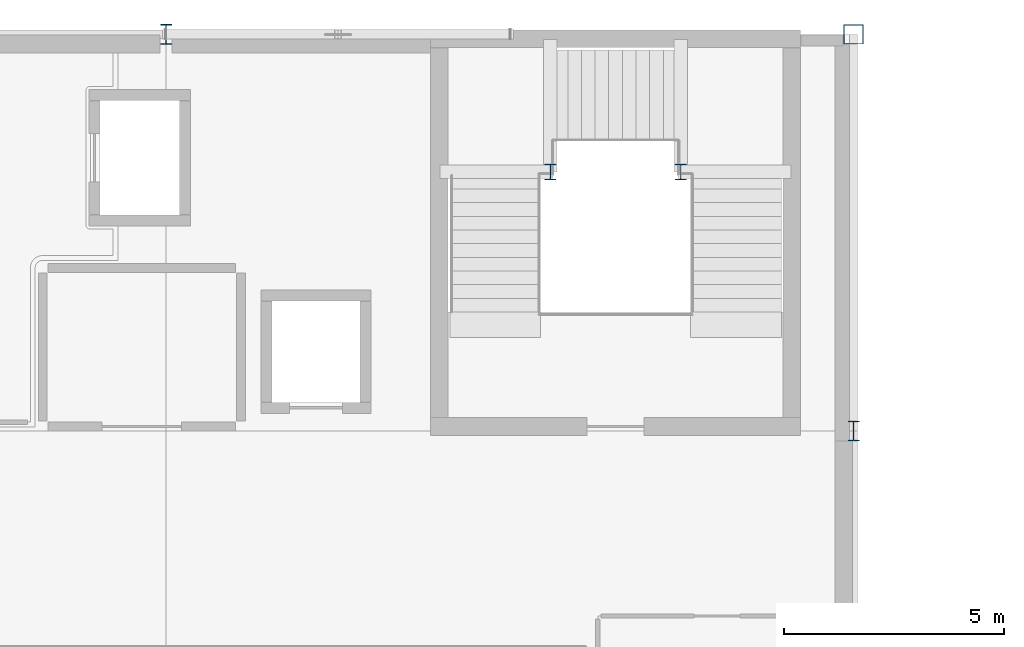
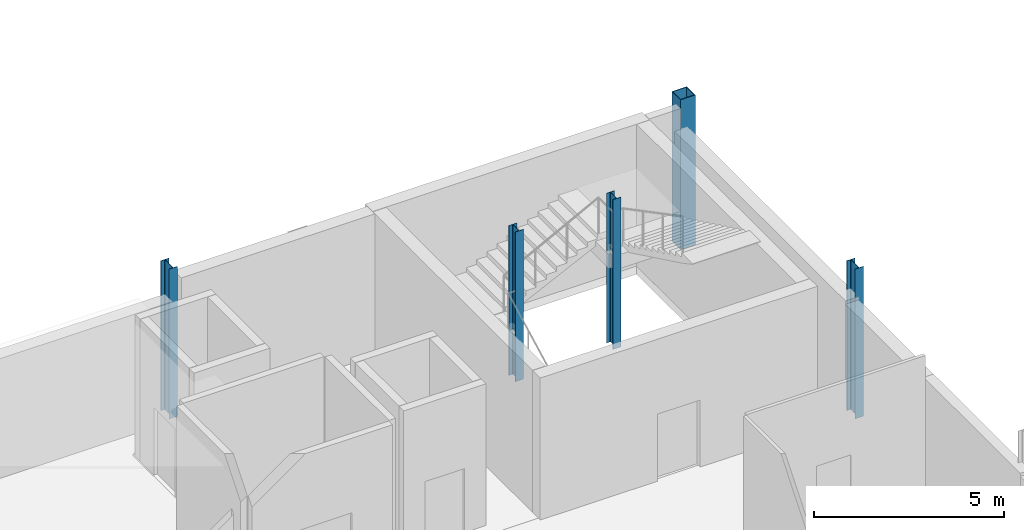
# One storey, part 10 of 102: 5 columns.
"""IFC4 building model written with IfcOpenShell, lengths in metres."""

import ifcopenshell
import ifcopenshell.guid

model = None  # the IFC model being written
_history = None  # IfcOwnerHistory: only IFC2X3 demands one
_inside = {}  # id of a spatial element -> (the spatial element, [elements in it])
_under = {}  # id of a project, library or spatial element -> (it, [spatial elements below it])
_declared = {}  # id of a project -> (the project, [libraries it declares])
_typed = {}  # id of a type object -> (the type object, [elements of that type])
_made_of = {}  # id of a material, layer set ... -> (it, [elements and type objects made of it])


def new_model(schema):
    """Start an empty IFC model of exactly this schema.

    Asked for "IFC4X3", IfcOpenShell would pick the latest addendum, in which some entities
    have other attributes; the version numbers below select the first issue.
    IFC2X3 requires an IfcOwnerHistory on every rooted entity: one is made here for all.
    """
    global model, _history
    if schema == "IFC4X3":
        model = ifcopenshell.file(schema_version=(4, 3, 0, 0))
    else:
        model = ifcopenshell.file(schema=schema)
    _inside.clear()
    _under.clear()
    _declared.clear()
    _typed.clear()
    _made_of.clear()
    _history = None
    if model.schema == "IFC2X3":
        org = make("IfcOrganization", Name="unknown")
        user = make(
            "IfcPersonAndOrganization",
            ThePerson=make("IfcPerson", FamilyName="unknown"),
            TheOrganization=org,
        )
        app = make(
            "IfcApplication",
            ApplicationDeveloper=org,
            Version="unknown",
            ApplicationFullName="unknown",
            ApplicationIdentifier="unknown",
        )
        _history = make(
            "IfcOwnerHistory",
            OwningUser=user,
            OwningApplication=app,
            ChangeAction="ADDED",
            CreationDate=0,
        )
    return model


def make(cls, **values):
    """One entity of the class cls with the attributes given. An attribute that is None is left unset."""
    return model.create_entity(
        cls, **{name: value for name, value in values.items() if value is not None}
    )


def rooted(cls, **values):
    """An entity with a GlobalId (a new one), such as an element, a storey or a relation."""
    return make(cls, GlobalId=ifcopenshell.guid.new(), OwnerHistory=_history, **values)


def si_unit(unit_type, name, prefix=None):
    """IfcSIUnit, for example si_unit("LENGTHUNIT", "METRE", prefix="MILLI")."""
    return make("IfcSIUnit", UnitType=unit_type, Prefix=prefix, Name=name)


def derived_unit(unit_type, elements):
    """IfcDerivedUnit: a product of units, each with its exponent."""
    return make(
        "IfcDerivedUnit",
        Elements=[
            make("IfcDerivedUnitElement", Unit=unit, Exponent=power)
            for unit, power in elements
        ],
        UnitType=unit_type,
    )


def assignment(units):
    """IfcUnitAssignment: the units of a project."""
    return None if units is None else make("IfcUnitAssignment", Units=units)


def point(xyz):
    """IfcCartesianPoint."""
    return None if xyz is None else make("IfcCartesianPoint", Coordinates=xyz)


def direction(xyz):
    """IfcDirection."""
    return None if xyz is None else make("IfcDirection", DirectionRatios=xyz)


def frame(location, z_axis=None, x_axis=None):
    """IfcAxis2Placement3D, a coordinate frame: its origin and axes. An axis left out is left unset."""
    return make(
        "IfcAxis2Placement3D",
        Location=point(location),
        Axis=direction(z_axis),
        RefDirection=direction(x_axis),
    )


def frame_2d(location, x_axis=None):
    """IfcAxis2Placement2D, a coordinate frame in the plane: its origin and x axis."""
    return make(
        "IfcAxis2Placement2D", Location=point(location), RefDirection=direction(x_axis)
    )


def origin():
    """The frame at (0, 0, 0) with its axes left unset."""
    return frame((0.0, 0.0, 0.0))


def origin_2d():
    """The frame at (0, 0) in the plane with its x axis left unset."""
    return frame_2d((0.0, 0.0))


def place(relative_to, where):
    """IfcLocalPlacement: puts the frame where relative to a parent placement (None: the world)."""
    return make(
        "IfcLocalPlacement", PlacementRelTo=relative_to, RelativePlacement=where
    )


def context(
    kind, dimensions, precision=None, world=None, true_north=None, identifier=None
):
    """IfcGeometricRepresentationContext, for example the 3D "Model" context."""
    return make(
        "IfcGeometricRepresentationContext",
        ContextIdentifier=identifier,
        ContextType=kind,
        CoordinateSpaceDimension=dimensions,
        Precision=precision,
        WorldCoordinateSystem=world,
        TrueNorth=true_north,
    )


def subcontext(parent, identifier, kind, view, scale=None):
    """IfcGeometricRepresentationSubContext, for example "Body" below "Model"."""
    return make(
        "IfcGeometricRepresentationSubContext",
        ContextIdentifier=identifier,
        ContextType=kind,
        ParentContext=parent,
        TargetScale=scale,
        TargetView=view,
    )


def project(units=None, contexts=None):
    """IfcProject with its units and contexts."""
    return rooted(
        "IfcProject",
        Name="project",
        RepresentationContexts=contexts,
        UnitsInContext=assignment(units),
    )


def spatial(cls, under=None, at=None, **own):
    """A site, building, storey or space (cls), placed at a placement, below another one or the project."""
    s = rooted(cls, ObjectPlacement=at, **own)
    if under is not None:
        _under.setdefault(under.id(), (under, []))[1].append(s)
    return s


def profile(cls, at=None, kind="AREA", **sizes):
    """A parametric profile (cls). Its sizes go by their IFC names, for example OverallWidth=200.0."""
    return make(cls, ProfileType=kind, Position=at, **sizes)


def hollow_rectangle(**sizes):
    """IfcRectangleHollowProfileDef."""
    return profile("IfcRectangleHollowProfileDef", **sizes)


def i_section(**sizes):
    """IfcIShapeProfileDef."""
    return profile("IfcIShapeProfileDef", **sizes)


def extrude(swept, where, along, depth):
    """IfcExtrudedAreaSolid: the profile swept, set in the frame where, extruded along a direction by depth."""
    return make(
        "IfcExtrudedAreaSolid",
        SweptArea=swept,
        Position=where,
        ExtrudedDirection=direction(along),
        Depth=depth,
    )


def shape(context_of_items, identifier, shape_type, items):
    """IfcShapeRepresentation: the items that make up one representation, for example the "Body"."""
    return make(
        "IfcShapeRepresentation",
        ContextOfItems=context_of_items,
        RepresentationIdentifier=identifier,
        RepresentationType=shape_type,
        Items=items,
    )


def material(Name=None, Category=None):
    """IfcMaterial."""
    return make("IfcMaterial", Name=Name, Category=Category)


def material_profile(
    of_material, cross_section, Name=None, Category=None, Priority=None
):
    """IfcMaterialProfile: a cross section and its material."""
    return make(
        "IfcMaterialProfile",
        Name=Name,
        Material=of_material,
        Profile=cross_section,
        Priority=Priority,
        Category=Category,
    )


def profile_set(profiles, Name=None, composite=None):
    """IfcMaterialProfileSet."""
    return make(
        "IfcMaterialProfileSet",
        Name=Name,
        MaterialProfiles=profiles,
        CompositeProfile=composite,
    )


def made_of(thing, what):
    """Note that an element or type object is made of a material, layer set ...; save() writes the relation."""
    if what is not None:
        _made_of.setdefault(what.id(), (what, []))[1].append(thing)
    return thing


def type_object(cls, material=None, **own):
    """A type object (cls), such as IfcWallType, which elements share."""
    return made_of(rooted(cls, **own), material)


def element(
    cls,
    number,
    at=None,
    inside=None,
    cuts=None,
    type_object=None,
    material=None,
    context=None,
    identifier="Body",
    shape_type=None,
    held_by="IfcProductDefinitionShape",
    body=None,
    shapes=None,
    **own,
):
    """One element of the class cls, such as IfcWall. Its Tag is "e" and its number.

    at: its placement. inside: the storey or other place that contains it. cuts: it is an
    opening in that element (IfcRelVoidsElement). A single representation is given by context,
    identifier, shape_type and body (its items); several are given by shapes. held_by: the class
    of the entity that holds the representations. save() writes the other relations.
    """
    e = rooted(cls, Tag="e%d" % number, ObjectPlacement=at, **own)
    if body is not None:
        shapes = [shape(context, identifier, shape_type, body)]
    if shapes is not None:
        e.Representation = make(held_by, Representations=shapes)
    if inside is not None:
        _inside.setdefault(inside.id(), (inside, []))[1].append(e)
    if cuts is not None:
        rooted(
            "IfcRelVoidsElement", RelatingBuildingElement=cuts, RelatedOpeningElement=e
        )
    if type_object is not None:
        _typed.setdefault(type_object.id(), (type_object, []))[1].append(e)
    return made_of(e, material)


def aggregate(whole, parts):
    """IfcRelAggregates: a whole, such as a stair, and the parts it consists of."""
    return rooted("IfcRelAggregates", RelatingObject=whole, RelatedObjects=parts)


def save(model, path):
    """Write the relations noted so far, then the file.

    IfcRelAggregates (storeys below a building ...), IfcRelContainedInSpatialStructure (elements
    in a storey), IfcRelDefinesByType, IfcRelAssociatesMaterial and IfcRelDeclares: one each for
    every whole, place, type object, material and project.
    """
    for whole, parts in _under.values():
        aggregate(whole, parts)
    for where, things in _inside.values():
        rooted(
            "IfcRelContainedInSpatialStructure",
            RelatedElements=things,
            RelatingStructure=where,
        )
    for kind, things in _typed.values():
        rooted("IfcRelDefinesByType", RelatedObjects=things, RelatingType=kind)
    for what, things in _made_of.values():
        rooted("IfcRelAssociatesMaterial", RelatedObjects=things, RelatingMaterial=what)
    for by, libraries in _declared.values():
        rooted("IfcRelDeclares", RelatingContext=by, RelatedDefinitions=libraries)
    model.write(path)


model = new_model("IFC4")

# Units and contexts
model_context = context("Model", 3, precision=1e-05, world=origin(), true_north=direction((0.0, 1.0)))
body_context = subcontext(model_context, "Body", "Model", "MODEL_VIEW")
ifc_project = project(units=[si_unit("LENGTHUNIT", "METRE"), si_unit("AREAUNIT", "SQUARE_METRE"), si_unit("VOLUMEUNIT", "CUBIC_METRE"), si_unit("PLANEANGLEUNIT", "RADIAN"), si_unit("MASSUNIT", "GRAM", prefix="KILO"), derived_unit("THERMALTRANSMITTANCEUNIT", [(si_unit("POWERUNIT", "WATT"), 1), (si_unit("LENGTHUNIT", "METRE"), -2), (si_unit("THERMODYNAMICTEMPERATUREUNIT", "KELVIN"), -1)])], contexts=[model_context])

# Site, building, storey
site_placement = place(None, origin())
site = spatial("IfcSite", under=ifc_project, at=site_placement, CompositionType="ELEMENT")
building_placement = place(site_placement, origin())
building = spatial("IfcBuilding", under=site, at=building_placement, Name="Nallur Shell Playhouse", CompositionType="ELEMENT")
storey_placement = place(building_placement, frame((0.0, 0.0, 15.0)))
storey = spatial("IfcBuildingStorey", under=building, at=storey_placement, Name="L04", CompositionType="ELEMENT", Elevation=15.0)

# Columns
ifc_material = material(Name="Steel E350", Category="steel")
ifc_material_profile_1 = material_profile(ifc_material, hollow_rectangle(XDim=0.449951171875, YDim=0.449951171875, WallThickness=0.02001953125, at=origin_2d()), Name="BOX 450x450x20")
ifc_profile_set_1 = profile_set([ifc_material_profile_1], Name="Steel E350")
column_type_1 = type_object("IfcColumnType", Name="CL-ST-BOX450", PredefinedType="COLUMN", material=ifc_profile_set_1)
column_placement = place(storey_placement, frame((103.0, 83.0, 0.0), z_axis=(0.0, 0.0, 1.0), x_axis=(1.0, 0.0, 0.0)))
element("IfcColumn", 1, at=column_placement, inside=storey, type_object=column_type_1, Name="Column 13-K (L04)", PredefinedType="COLUMN", context=body_context, shape_type="SweptSolid", body=[
    extrude(hollow_rectangle(XDim=0.449951171875, YDim=0.449951171875, WallThickness=0.02001953125, at=origin_2d()), origin(), (0.0, 0.0, 1.0), 4.800048828125),
])
ifc_material_profile_2 = material_profile(ifc_material, i_section(OverallWidth=0.25, OverallDepth=0.35009765625, WebThickness=0.010009765625, FlangeThickness=0.01171875, FilletRadius=0.011962890625, at=origin_2d()), Name="ISHB 350")
ifc_profile_set_2 = profile_set([ifc_material_profile_2], Name="Steel E350")
column_type_2 = type_object("IfcColumnType", Name="CL-ST-ISHB350", PredefinedType="COLUMN", material=ifc_profile_set_2)
for number, where, z_axis, x_axis, name in (
    (2, (96.1201171875, 79.8798828125, 0.0), (0.0, 0.0, 1.0), (1.0, 0.0, 0.0), "Column STW-JC-4-W (L04)"),
    (3, (99.080078125, 79.8798828125, 0.0), (0.0, 0.0, 1.0), (1.0, 0.0, 0.0), "Column STW-JC-4-E (L04)"),
):
    element("IfcColumn", number, at=place(storey_placement, frame(where, z_axis=z_axis, x_axis=x_axis)), inside=storey, type_object=column_type_2, Name=name, PredefinedType="COLUMN", context=body_context, shape_type="SweptSolid", body=[
        extrude(i_section(OverallWidth=0.25, OverallDepth=0.35009765625, WebThickness=0.010009765625, FlangeThickness=0.01171875, FilletRadius=0.011962890625, at=origin_2d()), origin(), (0.0, 0.0, 1.0), 4.800048828125),
    ])
ifc_material_profile_3 = material_profile(ifc_material, i_section(OverallWidth=0.25, OverallDepth=0.449951171875, WebThickness=0.01123046875, FlangeThickness=0.013671875, FilletRadius=0.014892578125, at=origin_2d()), Name="ISHB 450")
ifc_profile_set_3 = profile_set([ifc_material_profile_3], Name="Steel E350")
column_type_3 = type_object("IfcColumnType", Name="CL-ST-ISHB450", PredefinedType="COLUMN", material=ifc_profile_set_3)
for number, where, z_axis, x_axis, name in (
    (4, (87.39990234375, 83.0, 0.0), (0.0, 0.0, 1.0), (1.0, 0.0, 0.0), "Column 11-K (L04)"),
    (5, (103.0, 74.0, 0.0), (0.0, 0.0, 1.0), (1.0, 0.0, 0.0), "Column 13-J (L04)"),
):
    element("IfcColumn", number, at=place(storey_placement, frame(where, z_axis=z_axis, x_axis=x_axis)), inside=storey, type_object=column_type_3, Name=name, PredefinedType="COLUMN", context=body_context, shape_type="SweptSolid", body=[
        extrude(i_section(OverallWidth=0.25, OverallDepth=0.449951171875, WebThickness=0.01123046875, FlangeThickness=0.013671875, FilletRadius=0.014892578125, at=origin_2d()), origin(), (0.0, 0.0, 1.0), 4.800048828125),
    ])

save(model, "model.ifc")
